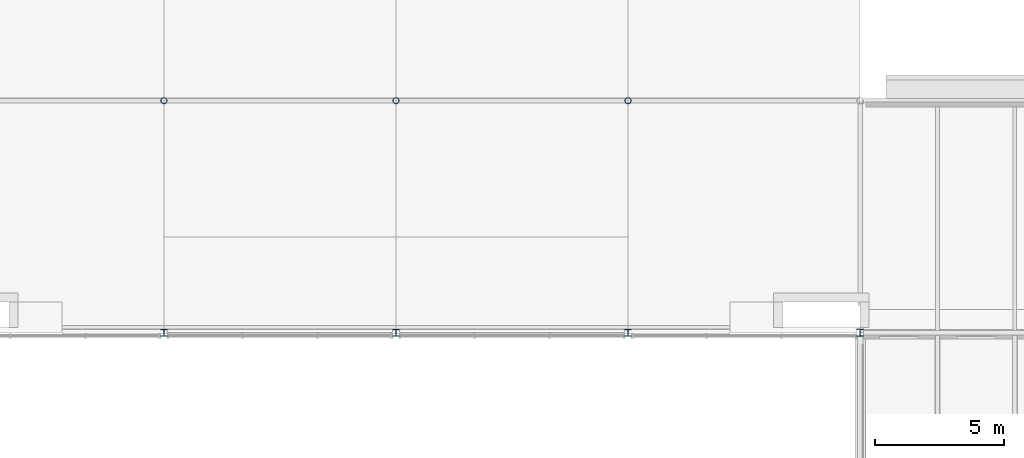
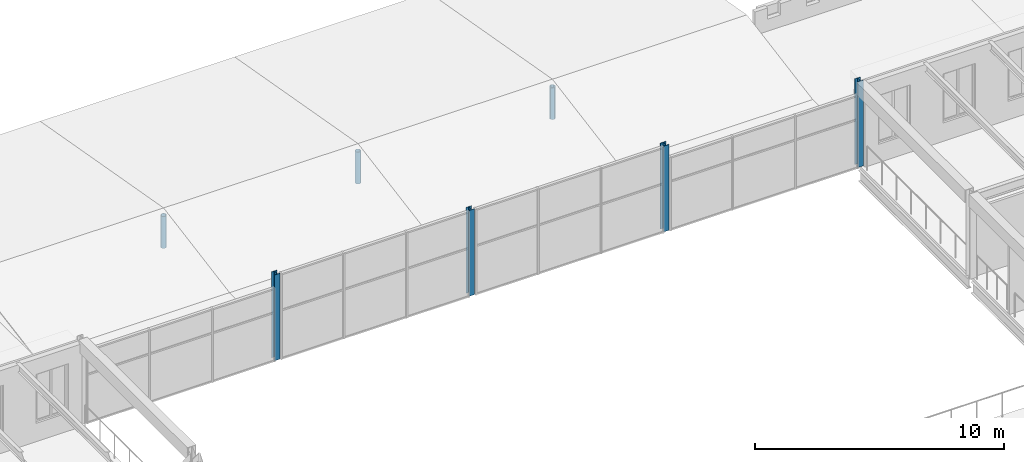
# One storey, part 17 of 123: 7 columns.
"""IFC4 building model written with IfcOpenShell, lengths in metres."""

from ifc_helpers import new_model, si_unit, direction, frame, origin, origin_2d, place, context, subcontext, project, spatial, hollow_circle, i_section, extrude, material, material_profile, profile_set, type_object, element, save


model = new_model("IFC4")

# Units and contexts
model_context = context("Model", 3, precision=1e-05, world=origin(), true_north=direction((0.0, 1.0)))
body_context = subcontext(model_context, "Body", "Model", "MODEL_VIEW")
ifc_project = project(units=[si_unit("LENGTHUNIT", "METRE"), si_unit("AREAUNIT", "SQUARE_METRE"), si_unit("VOLUMEUNIT", "CUBIC_METRE"), si_unit("PLANEANGLEUNIT", "RADIAN"), si_unit("MASSUNIT", "GRAM", prefix="KILO")], contexts=[model_context])

# Site, building, storey
site_placement = place(None, origin())
site = spatial("IfcSite", under=ifc_project, at=site_placement, CompositionType="ELEMENT")
building_placement = place(site_placement, origin())
building = spatial("IfcBuilding", under=site, at=building_placement, Name="Baradari Gate Terminus", CompositionType="ELEMENT")
storey_placement = place(building_placement, frame((0.0, 0.0, 7.5)))
storey = spatial("IfcBuildingStorey", under=building, at=storey_placement, Name="L01", CompositionType="ELEMENT", Elevation=7.5)

# Columns
ifc_material_1 = material(Name="Steel S355", Category="steel")
ifc_material_profile_1 = material_profile(ifc_material_1, hollow_circle(Radius=0.122314453125, WallThickness=0.010009765625, at=origin_2d()), Name="CHS 244.5x10")
ifc_profile_set_1 = profile_set([ifc_material_profile_1], Name="Steel S355")
column_type_1 = type_object("IfcColumnType", Name="Canopy column CHS 244.5x10", PredefinedType="COLUMN", material=ifc_profile_set_1)
for number, where, z_axis, x_axis, name in (
    (1, (144.0, 117.0, 0.0), (0.0, 0.0, 1.0), (1.0, 0.0, 0.0), "COL/L01/CC02U"),
    (2, (153.0, 117.0, 0.0), (0.0, 0.0, 1.0), (1.0, 0.0, 0.0), "COL/L01/CC03U"),
    (3, (162.0, 117.0, 0.0), (0.0, 0.0, 1.0), (1.0, 0.0, 0.0), "COL/L01/CC04U"),
):
    element("IfcColumn", number, at=place(storey_placement, frame(where, z_axis=z_axis, x_axis=x_axis)), inside=storey, type_object=column_type_1, Name=name, PredefinedType="COLUMN", context=body_context, shape_type="SweptSolid", body=[
        extrude(hollow_circle(Radius=0.122314453125, WallThickness=0.010009765625, at=origin_2d()), origin(), (0.0, 0.0, 1.0), 1.559326171875),
    ])
ifc_material_2 = material(Name="Steel S355", Category="steel")
ifc_material_profile_2 = material_profile(ifc_material_2, i_section(OverallWidth=0.25634765625, OverallDepth=0.26025390625, WebThickness=0.01025390625, FlangeThickness=0.017333984375, FilletRadius=0.0126953125, at=origin_2d()), Name="UC 254x254x89")
ifc_profile_set_2 = profile_set([ifc_material_profile_2], Name="Steel S355")
column_type_2 = type_object("IfcColumnType", Name="Head-house facade column C08 UC 254x254x89", PredefinedType="COLUMN", material=ifc_profile_set_2)
for number, where, z_axis, x_axis, name in (
    (4, (144.0, 108.0, 0.0), (0.0, 0.0, 1.0), (1.0, 0.0, 0.0), "C08 column 17-N L01"),
    (5, (153.0, 108.0, 0.0), (0.0, 0.0, 1.0), (1.0, 0.0, 0.0), "C08 column 18-N L01"),
    (6, (162.0, 108.0, 0.0), (0.0, 0.0, 1.0), (1.0, 0.0, 0.0), "C08 column 19-N L01"),
    (7, (171.0, 108.0, 0.0), (0.0, 0.0, 1.0), (1.0, 0.0, 0.0), "C08 column 20-N L01"),
):
    element("IfcColumn", number, at=place(storey_placement, frame(where, z_axis=z_axis, x_axis=x_axis)), inside=storey, type_object=column_type_2, Name=name, PredefinedType="COLUMN", context=body_context, shape_type="SweptSolid", body=[
        extrude(i_section(OverallWidth=0.25634765625, OverallDepth=0.26025390625, WebThickness=0.01025390625, FlangeThickness=0.017333984375, FilletRadius=0.0126953125, at=origin_2d()), origin(), (0.0, 0.0, 1.0), 4.199951171875),
    ])

save(model, "model.ifc")
